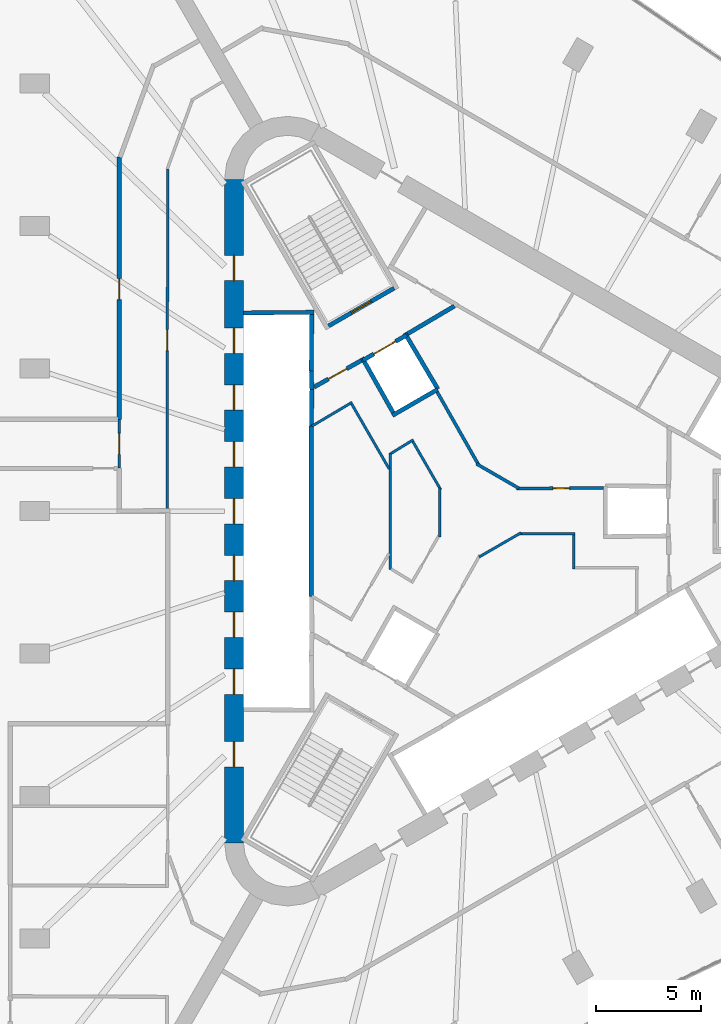
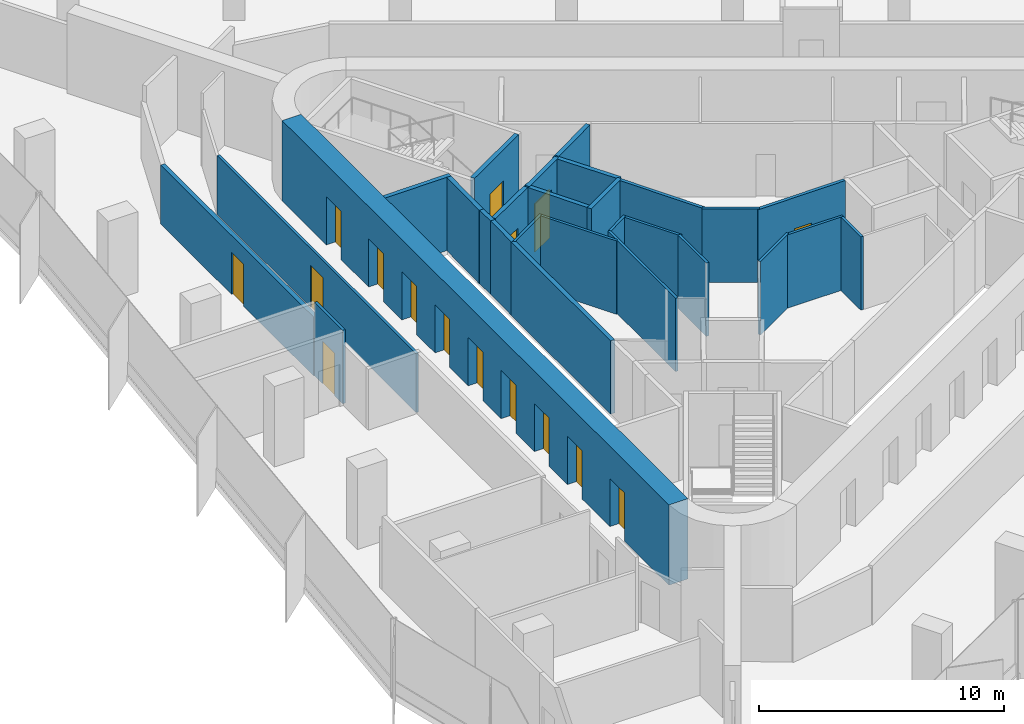
# One storey, part 10 of 13: 28 walls, 16 doors, 16 openings.
"""IFC4 building model written with IfcOpenShell, lengths in metres."""

from ifc_helpers import new_model, si_unit, direction, frame, frame_2d, origin, place, context, subcontext, project, spatial, rectangle, extrude, material, layer, layer_set, type_object, element, fill, save


model = new_model("IFC4")

# Units and contexts
model_context = context("Model", 3, precision=1e-05, world=origin(), true_north=direction((0.0, 1.0)))
body_context = subcontext(model_context, "Body", "Model", "MODEL_VIEW")
ifc_project = project(units=[si_unit("LENGTHUNIT", "METRE"), si_unit("AREAUNIT", "SQUARE_METRE"), si_unit("VOLUMEUNIT", "CUBIC_METRE"), si_unit("PLANEANGLEUNIT", "RADIAN"), si_unit("MASSUNIT", "GRAM", prefix="KILO")], contexts=[model_context])

# Site, building, storey
site_placement = place(None, origin())
site = spatial("IfcSite", under=ifc_project, at=site_placement, CompositionType="ELEMENT")
building_placement = place(site_placement, origin())
building = spatial("IfcBuilding", under=site, at=building_placement, Name="Tanit Gate Tower", CompositionType="ELEMENT")
storey_placement = place(building_placement, frame((0.0, 0.0, 273.199951171875)))
storey = spatial("IfcBuildingStorey", under=building, at=storey_placement, Name="L62", CompositionType="ELEMENT", Elevation=273.199951171875)

# Wall, openings, doors
ifc_material_1 = material(Name="Concrete C50/60", Category="concrete")
ifc_layer_1 = layer(ifc_material_1, 0.89990234375)
ifc_layer_set_1 = layer_set([ifc_layer_1], Name="CORE WALL 900 C50/60")
wall_type_1 = type_object("IfcWallType", Name="CORE WALL 900 C50/60", PredefinedType="SHEAR", material=ifc_layer_set_1)
wall_1_placement = place(storey_placement, frame((-11.64990234375, 15.76171875, 0.0), z_axis=(0.0, 0.0, 1.0), x_axis=(0.0, -1.0, 0.0)))
wall_1 = element("IfcWall", 1, at=wall_1_placement, inside=storey, type_object=wall_type_1, Name="CORE WALL", PredefinedType="SHEAR", context=body_context, shape_type="SweptSolid", body=[
    extrude(rectangle(XDim=31.5234375, YDim=0.89990234375, at=frame_2d((15.76171875, 0.0))), origin(), (0.0, 0.0, 1.0), 4.0),
])
opening_1_placement = place(wall_1_placement, frame((7.061767578125, 0.0, 0.0)))
opening_1 = element("IfcOpeningElement", 2, at=opening_1_placement, cuts=wall_1, Name="Opening LDML1-S17", PredefinedType="OPENING", context=body_context, shape_type="SweptSolid", body=[
    extrude(rectangle(XDim=1.199951171875, YDim=2.39990234375, at=frame_2d((0.60009765625, 1.199951171875))), frame((0.0, 0.4599609375, 0.0), z_axis=(0.0, -1.0, 0.0), x_axis=(1.0, 0.0, 0.0)), (0.0, 0.0, 1.0), 0.919921875),
])
opening_2_placement = place(wall_1_placement, frame((9.76171875, 0.0, 0.0)))
opening_2 = element("IfcOpeningElement", 3, at=opening_2_placement, cuts=wall_1, Name="Opening LDML2-S17", PredefinedType="OPENING", context=body_context, shape_type="SweptSolid", body=[
    extrude(rectangle(XDim=1.199951171875, YDim=2.39990234375, at=frame_2d((0.60009765625, 1.199951171875))), frame((0.0, 0.4599609375, 0.0), z_axis=(0.0, -1.0, 0.0), x_axis=(1.0, 0.0, 0.0)), (0.0, 0.0, 1.0), 0.919921875),
])
opening_3_placement = place(wall_1_placement, frame((12.461669921875, 0.0, 0.0)))
opening_3 = element("IfcOpeningElement", 4, at=opening_3_placement, cuts=wall_1, Name="Opening LDML3-S17", PredefinedType="OPENING", context=body_context, shape_type="SweptSolid", body=[
    extrude(rectangle(XDim=1.199951171875, YDim=2.39990234375, at=frame_2d((0.60009765625, 1.199951171875))), frame((0.0, 0.4599609375, 0.0), z_axis=(0.0, -1.0, 0.0), x_axis=(1.0, 0.0, 0.0)), (0.0, 0.0, 1.0), 0.919921875),
])
opening_4_placement = place(wall_1_placement, frame((15.16162109375, 0.0, 0.0)))
opening_4 = element("IfcOpeningElement", 5, at=opening_4_placement, cuts=wall_1, Name="Opening LDML4-S17", PredefinedType="OPENING", context=body_context, shape_type="SweptSolid", body=[
    extrude(rectangle(XDim=1.199951171875, YDim=2.39990234375, at=frame_2d((0.60009765625, 1.199951171875))), frame((0.0, 0.4599609375, 0.0), z_axis=(0.0, -1.0, 0.0), x_axis=(1.0, 0.0, 0.0)), (0.0, 0.0, 1.0), 0.919921875),
])
opening_5_placement = place(wall_1_placement, frame((17.86181640625, 0.0, 0.0)))
opening_5 = element("IfcOpeningElement", 6, at=opening_5_placement, cuts=wall_1, Name="Opening LDML5-S17", PredefinedType="OPENING", context=body_context, shape_type="SweptSolid", body=[
    extrude(rectangle(XDim=1.199951171875, YDim=2.39990234375, at=frame_2d((0.60009765625, 1.199951171875))), frame((0.0, 0.4599609375, 0.0), z_axis=(0.0, -1.0, 0.0), x_axis=(1.0, 0.0, 0.0)), (0.0, 0.0, 1.0), 0.919921875),
])
opening_6_placement = place(wall_1_placement, frame((20.561767578125, 0.0, 0.0)))
opening_6 = element("IfcOpeningElement", 7, at=opening_6_placement, cuts=wall_1, Name="Opening LDML6-S17", PredefinedType="OPENING", context=body_context, shape_type="SweptSolid", body=[
    extrude(rectangle(XDim=1.199951171875, YDim=2.39990234375, at=frame_2d((0.60009765625, 1.199951171875))), frame((0.0, 0.4599609375, 0.0), z_axis=(0.0, -1.0, 0.0), x_axis=(1.0, 0.0, 0.0)), (0.0, 0.0, 1.0), 0.919921875),
])
opening_7_placement = place(wall_1_placement, frame((23.26171875, 0.0, 0.0)))
opening_7 = element("IfcOpeningElement", 8, at=opening_7_placement, cuts=wall_1, Name="Opening LDML7-S17", PredefinedType="OPENING", context=body_context, shape_type="SweptSolid", body=[
    extrude(rectangle(XDim=1.199951171875, YDim=2.39990234375, at=frame_2d((0.60009765625, 1.199951171875))), frame((0.0, 0.4599609375, 0.0), z_axis=(0.0, -1.0, 0.0), x_axis=(1.0, 0.0, 0.0)), (0.0, 0.0, 1.0), 0.919921875),
])
opening_8_placement = place(wall_1_placement, frame((3.61181640625, 0.0, 0.0)))
opening_8 = element("IfcOpeningElement", 9, at=opening_8_placement, cuts=wall_1, Name="Opening F12-S17-FL2", PredefinedType="OPENING", context=body_context, shape_type="SweptSolid", body=[
    extrude(rectangle(XDim=1.199951171875, YDim=2.39990234375, at=frame_2d((0.60009765625, 1.199951171875))), frame((0.0, 0.4599609375, 0.0), z_axis=(0.0, -1.0, 0.0), x_axis=(1.0, 0.0, 0.0)), (0.0, 0.0, 1.0), 0.919921875),
])
opening_9_placement = place(wall_1_placement, frame((26.711669921875, 0.0, 0.0)))
opening_9 = element("IfcOpeningElement", 10, at=opening_9_placement, cuts=wall_1, Name="Opening F12-S17-S3", PredefinedType="OPENING", context=body_context, shape_type="SweptSolid", body=[
    extrude(rectangle(XDim=1.199951171875, YDim=2.39990234375, at=frame_2d((0.60009765625, 1.199951171875))), frame((0.0, 0.4599609375, 0.0), z_axis=(0.0, -1.0, 0.0), x_axis=(1.0, 0.0, 0.0)), (0.0, 0.0, 1.0), 0.919921875),
])
ifc_material_2 = material(Name="Fire-rated steel door leaf", Category="steel")
door_type_1 = type_object("IfcDoorType", Name="INT-DOOR-FIRE-LOBBY-1200", OperationType="NOTDEFINED", PredefinedType="USERDEFINED", material=ifc_material_2)
door_1_placement = place(opening_8_placement, origin())
door_1 = element("IfcDoor", 11, at=door_1_placement, inside=storey, type_object=door_type_1, Name="Door F12-S17-FL2", ObjectType="FIRE DOOR", OperationType="SINGLE_SWING_RIGHT", OverallHeight=2.39990234375, OverallWidth=1.199951171875, PredefinedType="USERDEFINED", context=body_context, shape_type="SweptSolid", body=[
    extrude(rectangle(XDim=1.199951171875, YDim=2.39990234375, at=frame_2d((0.60009765625, 1.199951171875))), frame((0.0, 0.02490234375, 0.0), z_axis=(0.0, -1.0, 0.0), x_axis=(1.0, 0.0, 0.0)), (0.0, 0.0, 1.0), 0.050048828125),
])
fill(opening_8, door_1)
door_2_placement = place(opening_9_placement, origin())
door_2 = element("IfcDoor", 12, at=door_2_placement, inside=storey, type_object=door_type_1, Name="Door F12-S17-S3", ObjectType="FIRE DOOR", OperationType="SINGLE_SWING_RIGHT", OverallHeight=2.39990234375, OverallWidth=1.199951171875, PredefinedType="USERDEFINED", context=body_context, shape_type="SweptSolid", body=[
    extrude(rectangle(XDim=1.199951171875, YDim=2.39990234375, at=frame_2d((0.60009765625, 1.199951171875))), frame((0.0, 0.02490234375, 0.0), z_axis=(0.0, -1.0, 0.0), x_axis=(1.0, 0.0, 0.0)), (0.0, 0.0, 1.0), 0.050048828125),
])
fill(opening_9, door_2)
ifc_material_3 = material(Name="Stainless steel sliding door leaf", Category="steel")
door_type_2 = type_object("IfcDoorType", Name="INT-DOOR-LANDING-1200", OperationType="NOTDEFINED", PredefinedType="USERDEFINED", material=ifc_material_3)
door_3_placement = place(opening_1_placement, origin())
door_3 = element("IfcDoor", 13, at=door_3_placement, inside=storey, type_object=door_type_2, Name="Door LDML1-S17", ObjectType="LANDING DOOR", OperationType="SLIDING_TO_LEFT", OverallHeight=2.39990234375, OverallWidth=1.199951171875, PredefinedType="USERDEFINED", context=body_context, shape_type="SweptSolid", body=[
    extrude(rectangle(XDim=1.199951171875, YDim=2.39990234375, at=frame_2d((0.60009765625, 1.199951171875))), frame((0.0, 0.02490234375, 0.0), z_axis=(0.0, -1.0, 0.0), x_axis=(1.0, 0.0, 0.0)), (0.0, 0.0, 1.0), 0.050048828125),
])
fill(opening_1, door_3)
door_4_placement = place(opening_2_placement, origin())
door_4 = element("IfcDoor", 14, at=door_4_placement, inside=storey, type_object=door_type_2, Name="Door LDML2-S17", ObjectType="LANDING DOOR", OperationType="SLIDING_TO_LEFT", OverallHeight=2.39990234375, OverallWidth=1.199951171875, PredefinedType="USERDEFINED", context=body_context, shape_type="SweptSolid", body=[
    extrude(rectangle(XDim=1.199951171875, YDim=2.39990234375, at=frame_2d((0.60009765625, 1.199951171875))), frame((0.0, 0.02490234375, 0.0), z_axis=(0.0, -1.0, 0.0), x_axis=(1.0, 0.0, 0.0)), (0.0, 0.0, 1.0), 0.050048828125),
])
fill(opening_2, door_4)
door_5_placement = place(opening_3_placement, origin())
door_5 = element("IfcDoor", 15, at=door_5_placement, inside=storey, type_object=door_type_2, Name="Door LDML3-S17", ObjectType="LANDING DOOR", OperationType="SLIDING_TO_LEFT", OverallHeight=2.39990234375, OverallWidth=1.199951171875, PredefinedType="USERDEFINED", context=body_context, shape_type="SweptSolid", body=[
    extrude(rectangle(XDim=1.199951171875, YDim=2.39990234375, at=frame_2d((0.60009765625, 1.199951171875))), frame((0.0, 0.02490234375, 0.0), z_axis=(0.0, -1.0, 0.0), x_axis=(1.0, 0.0, 0.0)), (0.0, 0.0, 1.0), 0.050048828125),
])
fill(opening_3, door_5)
door_6_placement = place(opening_4_placement, origin())
door_6 = element("IfcDoor", 16, at=door_6_placement, inside=storey, type_object=door_type_2, Name="Door LDML4-S17", ObjectType="LANDING DOOR", OperationType="SLIDING_TO_LEFT", OverallHeight=2.39990234375, OverallWidth=1.199951171875, PredefinedType="USERDEFINED", context=body_context, shape_type="SweptSolid", body=[
    extrude(rectangle(XDim=1.199951171875, YDim=2.39990234375, at=frame_2d((0.60009765625, 1.199951171875))), frame((0.0, 0.02490234375, 0.0), z_axis=(0.0, -1.0, 0.0), x_axis=(1.0, 0.0, 0.0)), (0.0, 0.0, 1.0), 0.050048828125),
])
fill(opening_4, door_6)
door_7_placement = place(opening_5_placement, origin())
door_7 = element("IfcDoor", 17, at=door_7_placement, inside=storey, type_object=door_type_2, Name="Door LDML5-S17", ObjectType="LANDING DOOR", OperationType="SLIDING_TO_LEFT", OverallHeight=2.39990234375, OverallWidth=1.199951171875, PredefinedType="USERDEFINED", context=body_context, shape_type="SweptSolid", body=[
    extrude(rectangle(XDim=1.199951171875, YDim=2.39990234375, at=frame_2d((0.60009765625, 1.199951171875))), frame((0.0, 0.02490234375, 0.0), z_axis=(0.0, -1.0, 0.0), x_axis=(1.0, 0.0, 0.0)), (0.0, 0.0, 1.0), 0.050048828125),
])
fill(opening_5, door_7)
door_8_placement = place(opening_6_placement, origin())
door_8 = element("IfcDoor", 18, at=door_8_placement, inside=storey, type_object=door_type_2, Name="Door LDML6-S17", ObjectType="LANDING DOOR", OperationType="SLIDING_TO_LEFT", OverallHeight=2.39990234375, OverallWidth=1.199951171875, PredefinedType="USERDEFINED", context=body_context, shape_type="SweptSolid", body=[
    extrude(rectangle(XDim=1.199951171875, YDim=2.39990234375, at=frame_2d((0.60009765625, 1.199951171875))), frame((0.0, 0.02490234375, 0.0), z_axis=(0.0, -1.0, 0.0), x_axis=(1.0, 0.0, 0.0)), (0.0, 0.0, 1.0), 0.050048828125),
])
fill(opening_6, door_8)
door_9_placement = place(opening_7_placement, origin())
door_9 = element("IfcDoor", 19, at=door_9_placement, inside=storey, type_object=door_type_2, Name="Door LDML7-S17", ObjectType="LANDING DOOR", OperationType="SLIDING_TO_LEFT", OverallHeight=2.39990234375, OverallWidth=1.199951171875, PredefinedType="USERDEFINED", context=body_context, shape_type="SweptSolid", body=[
    extrude(rectangle(XDim=1.199951171875, YDim=2.39990234375, at=frame_2d((0.60009765625, 1.199951171875))), frame((0.0, 0.02490234375, 0.0), z_axis=(0.0, -1.0, 0.0), x_axis=(1.0, 0.0, 0.0)), (0.0, 0.0, 1.0), 0.050048828125),
])
fill(opening_7, door_9)

# Wall
ifc_material_4 = material(Name="Fire-rated gypsum board partition")
ifc_layer_2 = layer(ifc_material_4, 0.199951171875)
ifc_layer_set_2 = layer_set([ifc_layer_2], Name="INT-WALL-COMPARTMENT")
wall_type_2 = type_object("IfcWallType", Name="INT-WALL-COMPARTMENT", PredefinedType="PARTITIONING", material=ifc_layer_set_2)
wall_2_placement = place(storey_placement, frame((-1.1787109375, 9.744873046875, 0.0), z_axis=(0.0, 0.0, 1.0), x_axis=(-0.860630814782, -0.509229418482, 0.0)))
element("IfcWall", 20, at=wall_2_placement, inside=storey, type_object=wall_type_2, Name="Wall Compartment W061", PredefinedType="PARTITIONING", context=body_context, shape_type="SweptSolid", body=[
    extrude(rectangle(XDim=2.581787109375, YDim=0.199951171875, at=frame_2d((1.291015625, 0.0))), origin(), (0.0, 0.0, 1.0), 3.650146484375),
])

# Wall, opening, door
wall_3_placement = place(storey_placement, frame((-5.600341796875, 7.16015625, 0.0), z_axis=(0.0, 0.0, 1.0), x_axis=(-0.871363259478, -0.490638431059, 0.0)))
wall_3 = element("IfcWall", 21, at=wall_3_placement, inside=storey, type_object=wall_type_2, Name="Wall Compartment W062", PredefinedType="PARTITIONING", context=body_context, shape_type="SweptSolid", body=[
    extrude(rectangle(XDim=2.5810546875, YDim=0.199951171875, at=frame_2d((1.29052734375, 0.0))), origin(), (0.0, 0.0, 1.0), 3.650146484375),
])
opening_10_placement = place(wall_3_placement, frame((0.79052734375, 0.0, 0.0)))
opening_10 = element("IfcOpeningElement", 22, at=opening_10_placement, cuts=wall_3, Name="Opening F10-S17-05", PredefinedType="OPENING", context=body_context, shape_type="SweptSolid", body=[
    extrude(rectangle(XDim=1.0, YDim=2.10009765625, at=frame_2d((0.5, 1.050048828125))), frame((0.0, 0.10986328125, 0.0), z_axis=(0.0, -1.0, 0.0), x_axis=(1.0, 0.0, 0.0)), (0.0, 0.0, 1.0), 0.219970703125),
])
ifc_material_5 = material(Name="Fire-rated steel door leaf", Category="steel")
door_type_3 = type_object("IfcDoorType", Name="INT-DOOR-FIRE-1000", OperationType="NOTDEFINED", PredefinedType="USERDEFINED", material=ifc_material_5)
door_10_placement = place(opening_10_placement, origin())
door_10 = element("IfcDoor", 23, at=door_10_placement, inside=storey, type_object=door_type_3, Name="Door F10-S17-05", ObjectType="FIRE DOOR", OperationType="SINGLE_SWING_LEFT", OverallHeight=2.10009765625, OverallWidth=1.0, PredefinedType="USERDEFINED", context=body_context, shape_type="SweptSolid", body=[
    extrude(rectangle(XDim=1.0, YDim=2.10009765625, at=frame_2d((0.5, 1.050048828125))), frame((0.0, 0.02490234375, 0.0), z_axis=(0.0, -1.0, 0.0), x_axis=(1.0, 0.0, 0.0)), (0.0, 0.0, 1.0), 0.050048828125),
])
fill(opening_10, door_10)

wall_4_placement = place(storey_placement, frame((-17.10009765625, 16.82275390625, 0.0), z_axis=(0.0, 0.0, 1.0), x_axis=(0.0, -1.0, 0.0)))
wall_4 = element("IfcWall", 24, at=wall_4_placement, inside=storey, type_object=wall_type_2, Name="Wall Compartment W090", PredefinedType="PARTITIONING", context=body_context, shape_type="SweptSolid", body=[
    extrude(rectangle(XDim=12.47265625, YDim=0.199951171875, at=frame_2d((6.236328125, 0.0))), origin(), (0.0, 0.0, 1.0), 2.929931640625),
])
opening_11_placement = place(wall_4_placement, frame((5.7763671875, 0.0, 0.0)))
opening_11 = element("IfcOpeningElement", 25, at=opening_11_placement, cuts=wall_4, Name="Opening F10-S17-28", PredefinedType="OPENING", context=body_context, shape_type="SweptSolid", body=[
    extrude(rectangle(XDim=1.0, YDim=2.10009765625, at=frame_2d((0.5, 1.050048828125))), frame((0.0, 0.10986328125, 0.0), z_axis=(0.0, -1.0, 0.0), x_axis=(1.0, 0.0, 0.0)), (0.0, 0.0, 1.0), 0.219970703125),
])
door_11_placement = place(opening_11_placement, origin())
door_11 = element("IfcDoor", 26, at=door_11_placement, inside=storey, type_object=door_type_3, Name="Door F10-S17-28", ObjectType="FIRE DOOR", OperationType="SINGLE_SWING_RIGHT", OverallHeight=2.10009765625, OverallWidth=1.0, PredefinedType="USERDEFINED", context=body_context, shape_type="SweptSolid", body=[
    extrude(rectangle(XDim=1.0, YDim=2.10009765625, at=frame_2d((0.5, 1.050048828125))), frame((0.0, 0.02490234375, 0.0), z_axis=(0.0, -1.0, 0.0), x_axis=(1.0, 0.0, 0.0)), (0.0, 0.0, 1.0), 0.050048828125),
])
fill(opening_11, door_11)

# Walls
ifc_material_6 = material(Name="Gypsum board partition")
ifc_layer_3 = layer(ifc_material_6, 0.1201171875)
ifc_layer_set_3 = layer_set([ifc_layer_3], Name="INT-WALL-PARTITION")
wall_type_3 = type_object("IfcWallType", Name="INT-WALL-PARTITION", PredefinedType="PARTITIONING", material=ifc_layer_set_3)
wall_5_placement = place(storey_placement, frame((1.995361328125, -1.02294921875, 0.0), z_axis=(0.0, 0.0, 1.0), x_axis=(-0.866043041921, -0.499969448606, 0.0)))
element("IfcWall", 27, at=wall_5_placement, inside=storey, type_object=wall_type_3, Name="Wall Partition W069", PredefinedType="PARTITIONING", context=body_context, shape_type="SweptSolid", body=[
    extrude(rectangle(XDim=2.310302734375, YDim=0.1201171875, at=frame_2d((1.1552734375, 0.0))), origin(), (0.0, 0.0, 1.0), 3.650146484375),
])
wall_6_placement = place(storey_placement, frame((4.56005859375, -1.074951171875, 0.0), z_axis=(0.0, 0.0, 1.0), x_axis=(-1.0, 0.0, 0.0)))
element("IfcWall", 28, at=wall_6_placement, inside=storey, type_object=wall_type_3, Name="Wall Partition W070", PredefinedType="PARTITIONING", context=body_context, shape_type="SweptSolid", body=[
    extrude(rectangle(XDim=2.63623046875, YDim=0.1201171875, at=frame_2d((1.318115234375, 0.0))), origin(), (0.0, 0.0, 1.0), 3.650146484375),
])
wall_7_placement = place(storey_placement, frame((4.5, -2.760009765625, 0.0), z_axis=(0.0, 0.0, 1.0), x_axis=(0.0, 1.0, 0.0)))
element("IfcWall", 29, at=wall_7_placement, inside=storey, type_object=wall_type_3, Name="Wall Partition W071", PredefinedType="PARTITIONING", context=body_context, shape_type="SweptSolid", body=[
    extrude(rectangle(XDim=1.625, YDim=0.1201171875, at=frame_2d((0.8125, 0.0))), origin(), (0.0, 0.0, 1.0), 3.650146484375),
])
wall_8_placement = place(storey_placement, frame((-4.21875, -2.760498046875, 0.0), z_axis=(0.0, 0.0, 1.0), x_axis=(0.0, 1.0, 0.0)))
element("IfcWall", 30, at=wall_8_placement, inside=storey, type_object=wall_type_3, Name="Wall Partition W074", PredefinedType="PARTITIONING", context=body_context, shape_type="SweptSolid", body=[
    extrude(rectangle(XDim=5.52099609375, YDim=0.1201171875, at=frame_2d((2.760498046875, 0.0))), origin(), (0.0, 0.0, 1.0), 3.650146484375),
])
wall_9_placement = place(storey_placement, frame((-6.03662109375, 5.17578125, 0.0), z_axis=(0.0, 0.0, 1.0), x_axis=(-0.860106072674, -0.510115225953, 0.0)))
element("IfcWall", 31, at=wall_9_placement, inside=storey, type_object=wall_type_3, Name="Wall Partition W077", PredefinedType="PARTITIONING", context=body_context, shape_type="SweptSolid", body=[
    extrude(rectangle(XDim=2.224609375, YDim=0.1201171875, at=frame_2d((1.1123046875, 0.0))), origin(), (0.0, 0.0, 1.0), 3.650146484375),
])
wall_10_placement = place(storey_placement, frame((-4.27880859375, 2.01123046875, 0.0), z_axis=(0.0, 0.0, 1.0), x_axis=(-0.500027278734, 0.866009653827, 0.0)))
element("IfcWall", 32, at=wall_10_placement, inside=storey, type_object=wall_type_3, Name="Wall Partition W078", PredefinedType="PARTITIONING", context=body_context, shape_type="SweptSolid", body=[
    extrude(rectangle(XDim=3.558837890625, YDim=0.1201171875, at=frame_2d((1.779296875, 0.0))), origin(), (0.0, 0.0, 1.0), 3.650146484375),
])
wall_11_placement = place(storey_placement, frame((-3.1298828125, 3.390869140625, 0.0), z_axis=(0.0, 0.0, 1.0), x_axis=(-0.853228335638, -0.521537541567, 0.0)))
element("IfcWall", 33, at=wall_11_placement, inside=storey, type_object=wall_type_3, Name="Wall Partition W079", PredefinedType="PARTITIONING", context=body_context, shape_type="SweptSolid", body=[
    extrude(rectangle(XDim=1.240966796875, YDim=0.1201171875, at=frame_2d((0.62060546875, 0.0))), origin(), (0.0, 0.0, 1.0), 3.650146484375),
])
wall_12_placement = place(storey_placement, frame((-1.83154296875, 1.0224609375, 0.0), z_axis=(0.0, 0.0, 1.0), x_axis=(-0.500000102728, 0.866025344474, 0.0)))
element("IfcWall", 34, at=wall_12_placement, inside=storey, type_object=wall_type_3, Name="Wall Partition W080", PredefinedType="PARTITIONING", context=body_context, shape_type="SweptSolid", body=[
    extrude(rectangle(XDim=2.638671875, YDim=0.1201171875, at=frame_2d((1.3193359375, 0.0))), origin(), (0.0, 0.0, 1.0), 3.650146484375),
])
wall_13_placement = place(storey_placement, frame((-1.883544921875, -1.21630859375, 0.0), z_axis=(0.0, 0.0, 1.0), x_axis=(0.0, 1.0, 0.0)))
element("IfcWall", 35, at=wall_13_placement, inside=storey, type_object=wall_type_3, Name="Wall Partition W081", PredefinedType="PARTITIONING", context=body_context, shape_type="SweptSolid", body=[
    extrude(rectangle(XDim=2.310302734375, YDim=0.1201171875, at=frame_2d((1.1552734375, 0.0))), origin(), (0.0, 0.0, 1.0), 3.650146484375),
])

# Wall, opening, door
wall_14_placement = place(storey_placement, frame((-14.800048828125, 16.257080078125, 0.0), z_axis=(0.0, 0.0, 1.0), x_axis=(-0.001847148781, -0.999998294019, 0.0)))
wall_14 = element("IfcWall", 36, at=wall_14_placement, inside=storey, type_object=wall_type_3, Name="Wall Partition W086", PredefinedType="PARTITIONING", context=body_context, shape_type="SweptSolid", body=[
    extrude(rectangle(XDim=16.257080078125, YDim=0.1201171875, at=frame_2d((8.12841796875, 0.0))), origin(), (0.0, 0.0, 1.0), 2.929931640625),
])
opening_12_placement = place(wall_14_placement, frame((7.628662109375, 0.0, 0.0)))
opening_12 = element("IfcOpeningElement", 37, at=opening_12_placement, cuts=wall_14, Name="Opening D10-S17-19", PredefinedType="OPENING", context=body_context, shape_type="SweptSolid", body=[
    extrude(rectangle(XDim=1.0, YDim=2.10009765625, at=frame_2d((0.5, 1.050048828125))), frame((0.0, 0.070068359375, 0.0), z_axis=(0.0, -1.0, 0.0), x_axis=(1.0, 0.0, 0.0)), (0.0, 0.0, 1.0), 0.14013671875),
])
ifc_material_7 = material(Name="Timber door leaf", Category="wood")
door_type_4 = type_object("IfcDoorType", Name="INT-DOOR-SINGLE-1000", OperationType="NOTDEFINED", PredefinedType="NOTDEFINED", material=ifc_material_7)
door_12_placement = place(opening_12_placement, origin())
door_12 = element("IfcDoor", 38, at=door_12_placement, inside=storey, type_object=door_type_4, Name="Door D10-S17-19", OperationType="SINGLE_SWING_RIGHT", OverallHeight=2.10009765625, OverallWidth=1.0, PredefinedType="NOTDEFINED", context=body_context, shape_type="SweptSolid", body=[
    extrude(rectangle(XDim=1.0, YDim=2.10009765625, at=frame_2d((0.5, 1.050048828125))), frame((0.0, 0.02490234375, 0.0), z_axis=(0.0, -1.0, 0.0), x_axis=(1.0, 0.0, 0.0)), (0.0, 0.0, 1.0), 0.050048828125),
])
fill(opening_12, door_12)

wall_15_placement = place(storey_placement, frame((-17.10009765625, 4.35009765625, 0.0), z_axis=(0.0, 0.0, 1.0), x_axis=(0.0, -1.0, 0.0)))
wall_15 = element("IfcWall", 39, at=wall_15_placement, inside=storey, type_object=wall_type_3, Name="Wall Partition W087", PredefinedType="PARTITIONING", context=body_context, shape_type="SweptSolid", body=[
    extrude(rectangle(XDim=2.300048828125, YDim=0.1201171875, at=frame_2d((1.14990234375, 0.0))), origin(), (0.0, 0.0, 1.0), 3.650146484375),
])
opening_13_placement = place(wall_15_placement, frame((0.64990234375, 0.0, 0.0)))
opening_13 = element("IfcOpeningElement", 40, at=opening_13_placement, cuts=wall_15, Name="Opening D10-S17-20", PredefinedType="OPENING", context=body_context, shape_type="SweptSolid", body=[
    extrude(rectangle(XDim=1.0, YDim=2.10009765625, at=frame_2d((0.5, 1.050048828125))), frame((0.0, 0.070068359375, 0.0), z_axis=(0.0, -1.0, 0.0), x_axis=(1.0, 0.0, 0.0)), (0.0, 0.0, 1.0), 0.14013671875),
])
door_13_placement = place(opening_13_placement, origin())
door_13 = element("IfcDoor", 41, at=door_13_placement, inside=storey, type_object=door_type_4, Name="Door D10-S17-20", OperationType="SINGLE_SWING_LEFT", OverallHeight=2.10009765625, OverallWidth=1.0, PredefinedType="NOTDEFINED", context=body_context, shape_type="SweptSolid", body=[
    extrude(rectangle(XDim=1.0, YDim=2.10009765625, at=frame_2d((0.5, 1.050048828125))), frame((0.0, 0.02490234375, 0.0), z_axis=(0.0, -1.0, 0.0), x_axis=(1.0, 0.0, 0.0)), (0.0, 0.0, 1.0), 0.050048828125),
])
fill(opening_13, door_13)

ifc_material_8 = material(Name="Fire-rated gypsum board partition")
ifc_layer_4 = layer(ifc_material_8, 0.14990234375)
ifc_layer_set_4 = layer_set([ifc_layer_4], Name="INT-WALL-RISER")
wall_type_4 = type_object("IfcWallType", Name="INT-WALL-RISER", PredefinedType="PLUMBINGWALL", material=ifc_layer_set_4)
wall_16_placement = place(storey_placement, frame((1.777587890625, 1.073974609375, 0.0), z_axis=(0.0, 0.0, 1.0), x_axis=(0.999973898196, 0.007225159347, 0.0)))
wall_16 = element("IfcWall", 42, at=wall_16_placement, inside=storey, type_object=wall_type_4, Name="Wall Riser W065", PredefinedType="PLUMBINGWALL", context=body_context, shape_type="SweptSolid", body=[
    extrude(rectangle(XDim=4.122314453125, YDim=0.14990234375, at=frame_2d((2.06103515625, 0.0))), origin(), (0.0, 0.0, 1.0), 3.650146484375),
])
opening_14_placement = place(wall_16_placement, frame((1.72509765625, 0.0, 0.0)))
opening_14 = element("IfcOpeningElement", 43, at=opening_14_placement, cuts=wall_16, Name="Opening R08-S17-10", PredefinedType="OPENING", context=body_context, shape_type="SweptSolid", body=[
    extrude(rectangle(XDim=0.800048828125, YDim=2.10009765625, at=frame_2d((0.39990234375, 1.050048828125))), frame((0.0, 0.0849609375, 0.0), z_axis=(0.0, -1.0, 0.0), x_axis=(1.0, 0.0, 0.0)), (0.0, 0.0, 1.0), 0.169921875),
])
ifc_material_9 = material(Name="Timber door leaf", Category="wood")
door_type_5 = type_object("IfcDoorType", Name="INT-DOOR-RISER-800", OperationType="NOTDEFINED", PredefinedType="USERDEFINED", material=ifc_material_9)
door_14_placement = place(opening_14_placement, origin())
door_14 = element("IfcDoor", 44, at=door_14_placement, inside=storey, type_object=door_type_5, Name="Door R08-S17-10", ObjectType="FIRE DOOR", OperationType="SINGLE_SWING_RIGHT", OverallHeight=2.10009765625, OverallWidth=0.800048828125, PredefinedType="USERDEFINED", context=body_context, shape_type="SweptSolid", body=[
    extrude(rectangle(XDim=0.800048828125, YDim=2.10009765625, at=frame_2d((0.39990234375, 1.050048828125))), frame((0.0, 0.02490234375, 0.0), z_axis=(0.0, -1.0, 0.0), x_axis=(1.0, 0.0, 0.0)), (0.0, 0.0, 1.0), 0.050048828125),
])
fill(opening_14, door_14)

# Walls
wall_17_placement = place(storey_placement, frame((-0.13232421875, 2.25146484375, 0.0), z_axis=(0.0, 0.0, 1.0), x_axis=(0.866028486751, -0.499994660107, 0.0)))
element("IfcWall", 45, at=wall_17_placement, inside=storey, type_object=wall_type_4, Name="Wall Riser W066", PredefinedType="PLUMBINGWALL", context=body_context, shape_type="SweptSolid", body=[
    extrude(rectangle(XDim=2.3291015625, YDim=0.14990234375, at=frame_2d((1.16455078125, 0.0))), origin(), (0.0, 0.0, 1.0), 3.650146484375),
])
wall_18_placement = place(storey_placement, frame((-1.994140625, 5.661376953125, 0.0), z_axis=(0.0, 0.0, 1.0), x_axis=(0.493780191404, -0.869586753911, 0.0)))
element("IfcWall", 46, at=wall_18_placement, inside=storey, type_object=wall_type_4, Name="Wall Riser W067", PredefinedType="PLUMBINGWALL", context=body_context, shape_type="SweptSolid", body=[
    extrude(rectangle(XDim=3.97119140625, YDim=0.14990234375, at=frame_2d((1.985595703125, 0.0))), origin(), (0.0, 0.0, 1.0), 3.650146484375),
])
ifc_material_10 = material(Name="Gypsum shaft wall system")
ifc_layer_5 = layer(ifc_material_10, 0.199951171875)
ifc_layer_set_5 = layer_set([ifc_layer_5], Name="INT-WALL-SHAFT")
wall_type_5 = type_object("IfcWallType", Name="INT-WALL-SHAFT", PredefinedType="PLUMBINGWALL", material=ifc_layer_set_5)
wall_19_placement = place(storey_placement, frame((-11.199951171875, 9.419921875, 0.0), z_axis=(0.0, 0.0, 1.0), x_axis=(0.999957167047, 0.009255488683, 0.0)))
element("IfcWall", 47, at=wall_19_placement, inside=storey, type_object=wall_type_5, Name="Wall Shaft W001", PredefinedType="PLUMBINGWALL", context=body_context, shape_type="SweptSolid", body=[
    extrude(rectangle(XDim=3.35009765625, YDim=0.199951171875, at=frame_2d((1.675048828125, 0.0))), origin(), (0.0, 0.0, 1.0), 3.650146484375),
])
wall_20_placement = place(storey_placement, frame((-7.951171875, 9.35009765625, 0.0), z_axis=(0.0, 0.0, 1.0), x_axis=(-0.011120469654, -0.999938165666, 0.0)))
element("IfcWall", 48, at=wall_20_placement, inside=storey, type_object=wall_type_5, Name="Wall Shaft W002", PredefinedType="PLUMBINGWALL", context=body_context, shape_type="SweptSolid", body=[
    extrude(rectangle(XDim=2.700439453125, YDim=0.199951171875, at=frame_2d((1.35009765625, 0.0))), origin(), (0.0, 0.0, 1.0), 3.650146484375),
])
wall_21_placement = place(storey_placement, frame((-7.97705078125, 6.650146484375, 0.0), z_axis=(0.0, 0.0, 1.0), x_axis=(0.030861509705, -0.999523670164, 0.0)))
element("IfcWall", 49, at=wall_21_placement, inside=storey, type_object=wall_type_5, Name="Wall Shaft W003", PredefinedType="PLUMBINGWALL", context=body_context, shape_type="SweptSolid", body=[
    extrude(rectangle(XDim=0.878173828125, YDim=0.199951171875, at=frame_2d((0.43896484375, 0.0))), origin(), (0.0, 0.0, 1.0), 3.650146484375),
])
wall_22_placement = place(storey_placement, frame((-7.94921875, 5.894775390625, 0.0), z_axis=(0.0, 0.0, 1.0), x_axis=(-0.012042535896, -0.999927486035, 0.0)))
element("IfcWall", 50, at=wall_22_placement, inside=storey, type_object=wall_type_5, Name="Wall Shaft W004", PredefinedType="PLUMBINGWALL", context=body_context, shape_type="SweptSolid", body=[
    extrude(rectangle(XDim=1.844970703125, YDim=0.199951171875, at=frame_2d((0.92236328125, 0.0))), origin(), (0.0, 0.0, 1.0), 3.650146484375),
])
wall_23_placement = place(storey_placement, frame((-7.97998046875, 4.050048828125, 0.0), z_axis=(0.0, 0.0, 1.0), x_axis=(0.0, -1.0, 0.0)))
element("IfcWall", 51, at=wall_23_placement, inside=storey, type_object=wall_type_5, Name="Wall Shaft W005", PredefinedType="PLUMBINGWALL", context=body_context, shape_type="SweptSolid", body=[
    extrude(rectangle(XDim=8.10009765625, YDim=0.199951171875, at=frame_2d((4.050048828125, 0.0))), origin(), (0.0, 0.0, 1.0), 3.650146484375),
])

# Wall, opening, door
wall_24_placement = place(storey_placement, frame((-5.524169921875, 7.168212890625, 0.0), z_axis=(0.0, 0.0, 1.0), x_axis=(0.866024647952, 0.500001309137, 0.0)))
wall_24 = element("IfcWall", 52, at=wall_24_placement, inside=storey, type_object=wall_type_5, Name="Wall Shaft W037", PredefinedType="PLUMBINGWALL", context=body_context, shape_type="SweptSolid", body=[
    extrude(rectangle(XDim=2.39990234375, YDim=0.199951171875, at=frame_2d((1.199951171875, 0.0))), origin(), (0.0, 0.0, 1.0), 3.650146484375),
])
opening_15_placement = place(wall_24_placement, frame((0.60009765625, 0.0, 0.0)))
opening_15 = element("IfcOpeningElement", 53, at=opening_15_placement, cuts=wall_24, Name="Opening LDFL2-L62", PredefinedType="OPENING", context=body_context, shape_type="SweptSolid", body=[
    extrude(rectangle(XDim=1.199951171875, YDim=2.39990234375, at=frame_2d((0.60009765625, 1.199951171875))), frame((0.0, 0.10986328125, 0.0), z_axis=(0.0, -1.0, 0.0), x_axis=(1.0, 0.0, 0.0)), (0.0, 0.0, 1.0), 0.219970703125),
])
door_15_placement = place(opening_15_placement, origin())
door_15 = element("IfcDoor", 54, at=door_15_placement, inside=storey, type_object=door_type_2, Name="Door LDFL2-L62", ObjectType="LANDING DOOR", OperationType="SLIDING_TO_LEFT", OverallHeight=2.39990234375, OverallWidth=1.199951171875, PredefinedType="USERDEFINED", context=body_context, shape_type="SweptSolid", body=[
    extrude(rectangle(XDim=1.199951171875, YDim=2.39990234375, at=frame_2d((0.60009765625, 1.199951171875))), frame((0.0, 0.02490234375, 0.0), z_axis=(0.0, -1.0, 0.0), x_axis=(1.0, 0.0, 0.0)), (0.0, 0.0, 1.0), 0.050048828125),
])
fill(opening_15, door_15)

# Walls
wall_25_placement = place(storey_placement, frame((-3.53759765625, 8.46533203125, 0.0), z_axis=(0.0, 0.0, 1.0), x_axis=(0.508647062354, -0.860975125052, 0.0)))
element("IfcWall", 55, at=wall_25_placement, inside=storey, type_object=wall_type_5, Name="Wall Shaft W038", PredefinedType="PLUMBINGWALL", context=body_context, shape_type="SweptSolid", body=[
    extrude(rectangle(XDim=3.10009765625, YDim=0.199951171875, at=frame_2d((1.550048828125, 0.0))), origin(), (0.0, 0.0, 1.0), 3.650146484375),
])
wall_26_placement = place(storey_placement, frame((-1.978515625, 5.785888671875, 0.0), z_axis=(0.0, 0.0, 1.0), x_axis=(-0.866016689309, -0.500015093611, 0.0)))
element("IfcWall", 56, at=wall_26_placement, inside=storey, type_object=wall_type_5, Name="Wall Shaft W039", PredefinedType="PLUMBINGWALL", context=body_context, shape_type="SweptSolid", body=[
    extrude(rectangle(XDim=2.4794921875, YDim=0.199951171875, at=frame_2d((1.23974609375, 0.0))), origin(), (0.0, 0.0, 1.0), 3.650146484375),
])
wall_27_placement = place(storey_placement, frame((-5.5625, 7.29638671875, 0.0), z_axis=(0.0, 0.0, 1.0), x_axis=(0.49134651263, -0.870964180966, 0.0)))
element("IfcWall", 57, at=wall_27_placement, inside=storey, type_object=wall_type_5, Name="Wall Shaft W040", PredefinedType="PLUMBINGWALL", context=body_context, shape_type="SweptSolid", body=[
    extrude(rectangle(XDim=3.000244140625, YDim=0.199951171875, at=frame_2d((1.5, 0.0))), origin(), (0.0, 0.0, 1.0), 3.650146484375),
])

# Wall, opening, door
ifc_material_11 = material(Name="Concrete C40/50", Category="concrete")
ifc_layer_6 = layer(ifc_material_11, 0.199951171875)
ifc_layer_set_6 = layer_set([ifc_layer_6], Name="INT-WALL-STAIR")
wall_type_6 = type_object("IfcWallType", Name="INT-WALL-STAIR", PredefinedType="SHEAR", material=ifc_layer_set_6)
wall_28_placement = place(storey_placement, frame((-7.158935546875, 8.799560546875, -0.300048828125), z_axis=(0.0, 0.0, 1.0), x_axis=(0.866047807691, 0.499961193289, 0.0)))
wall_28 = element("IfcWall", 58, at=wall_28_placement, inside=storey, type_object=wall_type_6, Name="Wall Stair W036", PredefinedType="SHEAR", context=body_context, shape_type="SweptSolid", body=[
    extrude(rectangle(XDim=3.599853515625, YDim=0.199951171875, at=frame_2d((1.7998046875, 0.0))), origin(), (0.0, 0.0, 1.0), 3.9501953125),
])
opening_16_placement = place(wall_28_placement, frame((1.25, 0.0, 0.300048828125)))
opening_16 = element("IfcOpeningElement", 59, at=opening_16_placement, cuts=wall_28, Name="Opening S11-S17-04", PredefinedType="OPENING", context=body_context, shape_type="SweptSolid", body=[
    extrude(rectangle(XDim=1.10009765625, YDim=2.10009765625, at=frame_2d((0.550048828125, 1.050048828125))), frame((0.0, 0.10986328125, 0.0), z_axis=(0.0, -1.0, 0.0), x_axis=(1.0, 0.0, 0.0)), (0.0, 0.0, 1.0), 0.219970703125),
])
ifc_material_12 = material(Name="Timber door leaf", Category="wood")
door_type_6 = type_object("IfcDoorType", Name="INT-DOOR-STAIR-1100", OperationType="NOTDEFINED", PredefinedType="USERDEFINED", material=ifc_material_12)
door_16_placement = place(opening_16_placement, origin())
door_16 = element("IfcDoor", 60, at=door_16_placement, inside=storey, type_object=door_type_6, Name="Door S11-S17-04", ObjectType="FIRE DOOR", OperationType="SINGLE_SWING_LEFT", OverallHeight=2.10009765625, OverallWidth=1.10009765625, PredefinedType="USERDEFINED", context=body_context, shape_type="SweptSolid", body=[
    extrude(rectangle(XDim=1.10009765625, YDim=2.10009765625, at=frame_2d((0.550048828125, 1.050048828125))), frame((0.0, 0.02490234375, 0.0), z_axis=(0.0, -1.0, 0.0), x_axis=(1.0, 0.0, 0.0)), (0.0, 0.0, 1.0), 0.050048828125),
])
fill(opening_16, door_16)

save(model, "model.ifc")
